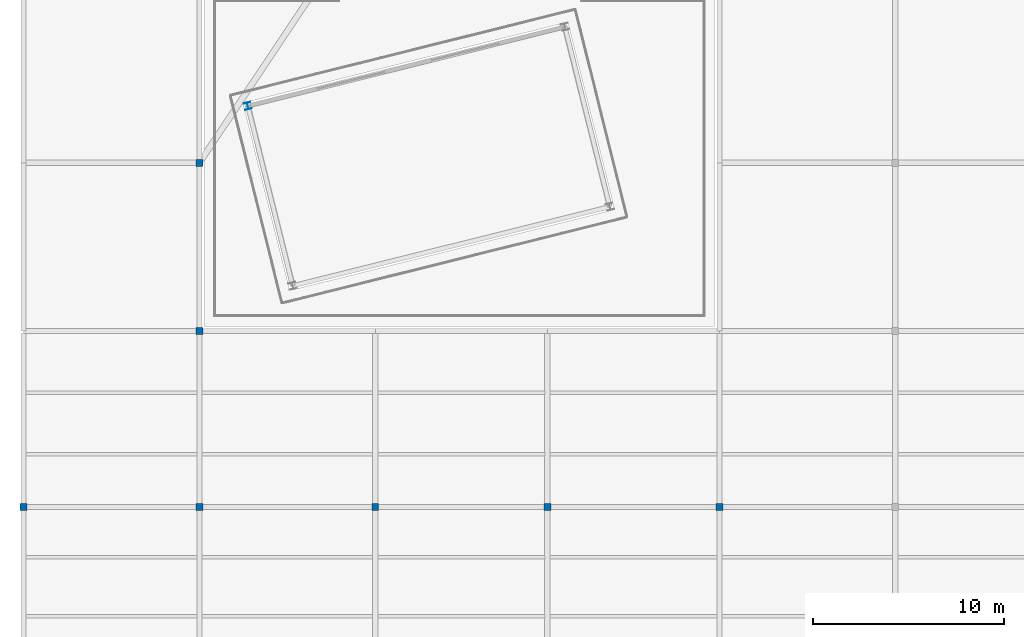
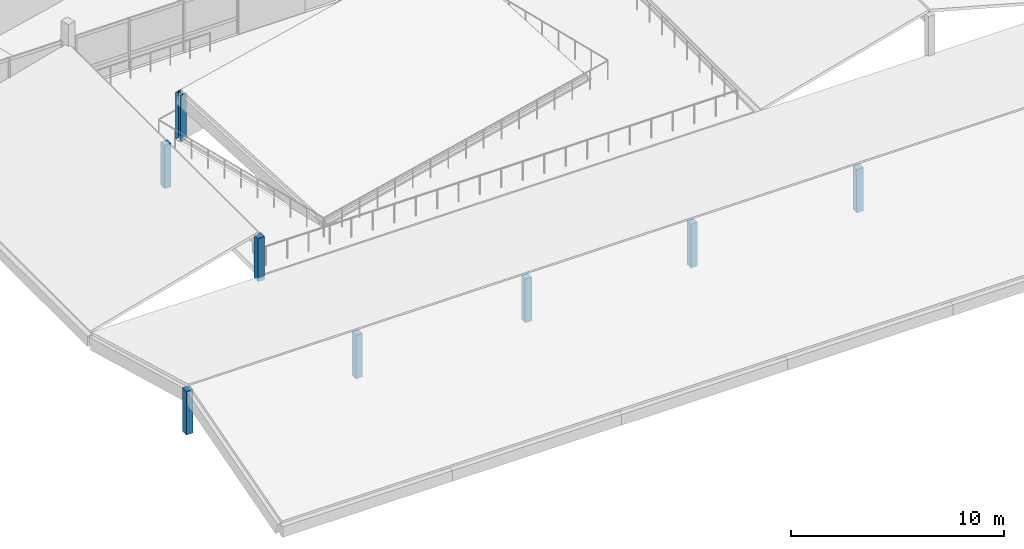
# One storey, part 1 of 39: 8 columns.
"""IFC4 building model written with IfcOpenShell, lengths in metres."""

import ifcopenshell
import ifcopenshell.guid

model = None  # the IFC model being written
_history = None  # IfcOwnerHistory: only IFC2X3 demands one
_inside = {}  # id of a spatial element -> (the spatial element, [elements in it])
_under = {}  # id of a project, library or spatial element -> (it, [spatial elements below it])
_declared = {}  # id of a project -> (the project, [libraries it declares])
_typed = {}  # id of a type object -> (the type object, [elements of that type])
_made_of = {}  # id of a material, layer set ... -> (it, [elements and type objects made of it])


def new_model(schema):
    """Start an empty IFC model of exactly this schema.

    Asked for "IFC4X3", IfcOpenShell would pick the latest addendum, in which some entities
    have other attributes; the version numbers below select the first issue.
    IFC2X3 requires an IfcOwnerHistory on every rooted entity: one is made here for all.
    """
    global model, _history
    if schema == "IFC4X3":
        model = ifcopenshell.file(schema_version=(4, 3, 0, 0))
    else:
        model = ifcopenshell.file(schema=schema)
    _inside.clear()
    _under.clear()
    _declared.clear()
    _typed.clear()
    _made_of.clear()
    _history = None
    if model.schema == "IFC2X3":
        org = make("IfcOrganization", Name="unknown")
        user = make(
            "IfcPersonAndOrganization",
            ThePerson=make("IfcPerson", FamilyName="unknown"),
            TheOrganization=org,
        )
        app = make(
            "IfcApplication",
            ApplicationDeveloper=org,
            Version="unknown",
            ApplicationFullName="unknown",
            ApplicationIdentifier="unknown",
        )
        _history = make(
            "IfcOwnerHistory",
            OwningUser=user,
            OwningApplication=app,
            ChangeAction="ADDED",
            CreationDate=0,
        )
    return model


def make(cls, **values):
    """One entity of the class cls with the attributes given. An attribute that is None is left unset."""
    return model.create_entity(
        cls, **{name: value for name, value in values.items() if value is not None}
    )


def rooted(cls, **values):
    """An entity with a GlobalId (a new one), such as an element, a storey or a relation."""
    return make(cls, GlobalId=ifcopenshell.guid.new(), OwnerHistory=_history, **values)


def si_unit(unit_type, name, prefix=None):
    """IfcSIUnit, for example si_unit("LENGTHUNIT", "METRE", prefix="MILLI")."""
    return make("IfcSIUnit", UnitType=unit_type, Prefix=prefix, Name=name)


def assignment(units):
    """IfcUnitAssignment: the units of a project."""
    return None if units is None else make("IfcUnitAssignment", Units=units)


def point(xyz):
    """IfcCartesianPoint."""
    return None if xyz is None else make("IfcCartesianPoint", Coordinates=xyz)


def direction(xyz):
    """IfcDirection."""
    return None if xyz is None else make("IfcDirection", DirectionRatios=xyz)


def frame(location, z_axis=None, x_axis=None):
    """IfcAxis2Placement3D, a coordinate frame: its origin and axes. An axis left out is left unset."""
    return make(
        "IfcAxis2Placement3D",
        Location=point(location),
        Axis=direction(z_axis),
        RefDirection=direction(x_axis),
    )


def frame_2d(location, x_axis=None):
    """IfcAxis2Placement2D, a coordinate frame in the plane: its origin and x axis."""
    return make(
        "IfcAxis2Placement2D", Location=point(location), RefDirection=direction(x_axis)
    )


def origin():
    """The frame at (0, 0, 0) with its axes left unset."""
    return frame((0.0, 0.0, 0.0))


def origin_2d():
    """The frame at (0, 0) in the plane with its x axis left unset."""
    return frame_2d((0.0, 0.0))


def place(relative_to, where):
    """IfcLocalPlacement: puts the frame where relative to a parent placement (None: the world)."""
    return make(
        "IfcLocalPlacement", PlacementRelTo=relative_to, RelativePlacement=where
    )


def context(
    kind, dimensions, precision=None, world=None, true_north=None, identifier=None
):
    """IfcGeometricRepresentationContext, for example the 3D "Model" context."""
    return make(
        "IfcGeometricRepresentationContext",
        ContextIdentifier=identifier,
        ContextType=kind,
        CoordinateSpaceDimension=dimensions,
        Precision=precision,
        WorldCoordinateSystem=world,
        TrueNorth=true_north,
    )


def subcontext(parent, identifier, kind, view, scale=None):
    """IfcGeometricRepresentationSubContext, for example "Body" below "Model"."""
    return make(
        "IfcGeometricRepresentationSubContext",
        ContextIdentifier=identifier,
        ContextType=kind,
        ParentContext=parent,
        TargetScale=scale,
        TargetView=view,
    )


def project(units=None, contexts=None):
    """IfcProject with its units and contexts."""
    return rooted(
        "IfcProject",
        Name="project",
        RepresentationContexts=contexts,
        UnitsInContext=assignment(units),
    )


def spatial(cls, under=None, at=None, **own):
    """A site, building, storey or space (cls), placed at a placement, below another one or the project."""
    s = rooted(cls, ObjectPlacement=at, **own)
    if under is not None:
        _under.setdefault(under.id(), (under, []))[1].append(s)
    return s


def profile(cls, at=None, kind="AREA", **sizes):
    """A parametric profile (cls). Its sizes go by their IFC names, for example OverallWidth=200.0."""
    return make(cls, ProfileType=kind, Position=at, **sizes)


def rectangle(**sizes):
    """IfcRectangleProfileDef."""
    return profile("IfcRectangleProfileDef", **sizes)


def i_section(**sizes):
    """IfcIShapeProfileDef."""
    return profile("IfcIShapeProfileDef", **sizes)


def extrude(swept, where, along, depth):
    """IfcExtrudedAreaSolid: the profile swept, set in the frame where, extruded along a direction by depth."""
    return make(
        "IfcExtrudedAreaSolid",
        SweptArea=swept,
        Position=where,
        ExtrudedDirection=direction(along),
        Depth=depth,
    )


def shape(context_of_items, identifier, shape_type, items):
    """IfcShapeRepresentation: the items that make up one representation, for example the "Body"."""
    return make(
        "IfcShapeRepresentation",
        ContextOfItems=context_of_items,
        RepresentationIdentifier=identifier,
        RepresentationType=shape_type,
        Items=items,
    )


def material(Name=None, Category=None):
    """IfcMaterial."""
    return make("IfcMaterial", Name=Name, Category=Category)


def material_profile(
    of_material, cross_section, Name=None, Category=None, Priority=None
):
    """IfcMaterialProfile: a cross section and its material."""
    return make(
        "IfcMaterialProfile",
        Name=Name,
        Material=of_material,
        Profile=cross_section,
        Priority=Priority,
        Category=Category,
    )


def profile_set(profiles, Name=None, composite=None):
    """IfcMaterialProfileSet."""
    return make(
        "IfcMaterialProfileSet",
        Name=Name,
        MaterialProfiles=profiles,
        CompositeProfile=composite,
    )


def made_of(thing, what):
    """Note that an element or type object is made of a material, layer set ...; save() writes the relation."""
    if what is not None:
        _made_of.setdefault(what.id(), (what, []))[1].append(thing)
    return thing


def type_object(cls, material=None, **own):
    """A type object (cls), such as IfcWallType, which elements share."""
    return made_of(rooted(cls, **own), material)


def element(
    cls,
    number,
    at=None,
    inside=None,
    cuts=None,
    type_object=None,
    material=None,
    context=None,
    identifier="Body",
    shape_type=None,
    held_by="IfcProductDefinitionShape",
    body=None,
    shapes=None,
    **own,
):
    """One element of the class cls, such as IfcWall. Its Tag is "e" and its number.

    at: its placement. inside: the storey or other place that contains it. cuts: it is an
    opening in that element (IfcRelVoidsElement). A single representation is given by context,
    identifier, shape_type and body (its items); several are given by shapes. held_by: the class
    of the entity that holds the representations. save() writes the other relations.
    """
    e = rooted(cls, Tag="e%d" % number, ObjectPlacement=at, **own)
    if body is not None:
        shapes = [shape(context, identifier, shape_type, body)]
    if shapes is not None:
        e.Representation = make(held_by, Representations=shapes)
    if inside is not None:
        _inside.setdefault(inside.id(), (inside, []))[1].append(e)
    if cuts is not None:
        rooted(
            "IfcRelVoidsElement", RelatingBuildingElement=cuts, RelatedOpeningElement=e
        )
    if type_object is not None:
        _typed.setdefault(type_object.id(), (type_object, []))[1].append(e)
    return made_of(e, material)


def aggregate(whole, parts):
    """IfcRelAggregates: a whole, such as a stair, and the parts it consists of."""
    return rooted("IfcRelAggregates", RelatingObject=whole, RelatedObjects=parts)


def save(model, path):
    """Write the relations noted so far, then the file.

    IfcRelAggregates (storeys below a building ...), IfcRelContainedInSpatialStructure (elements
    in a storey), IfcRelDefinesByType, IfcRelAssociatesMaterial and IfcRelDeclares: one each for
    every whole, place, type object, material and project.
    """
    for whole, parts in _under.values():
        aggregate(whole, parts)
    for where, things in _inside.values():
        rooted(
            "IfcRelContainedInSpatialStructure",
            RelatedElements=things,
            RelatingStructure=where,
        )
    for kind, things in _typed.values():
        rooted("IfcRelDefinesByType", RelatedObjects=things, RelatingType=kind)
    for what, things in _made_of.values():
        rooted("IfcRelAssociatesMaterial", RelatedObjects=things, RelatingMaterial=what)
    for by, libraries in _declared.values():
        rooted("IfcRelDeclares", RelatingContext=by, RelatedDefinitions=libraries)
    model.write(path)


model = new_model("IFC4")

# Units and contexts
model_context = context("Model", 3, precision=1e-05, world=origin(), true_north=direction((0.0, 1.0)))
body_context = subcontext(model_context, "Body", "Model", "MODEL_VIEW")
ifc_project = project(units=[si_unit("LENGTHUNIT", "METRE"), si_unit("AREAUNIT", "SQUARE_METRE"), si_unit("VOLUMEUNIT", "CUBIC_METRE"), si_unit("PLANEANGLEUNIT", "RADIAN"), si_unit("MASSUNIT", "GRAM", prefix="KILO")], contexts=[model_context])

# Site, building, storey
site_placement = place(None, origin())
site = spatial("IfcSite", under=ifc_project, at=site_placement, CompositionType="ELEMENT")
building_placement = place(site_placement, origin())
building = spatial("IfcBuilding", under=site, at=building_placement, Name="Meriwether Solvik Hall", CompositionType="ELEMENT")
storey_placement = place(building_placement, frame((0.0, 0.0, 22.199951171875)))
storey = spatial("IfcBuildingStorey", under=building, at=storey_placement, Name="L05", CompositionType="ELEMENT", Elevation=22.199951171875)

# Columns
ifc_material_1 = material(Name="Glulam Douglas-Fir L2 GL28c", Category="wood")
ifc_material_profile_1 = material_profile(ifc_material_1, rectangle(XDim=0.364990234375, YDim=0.364990234375, at=origin_2d()), Name="GLC-365X365")
ifc_profile_set_1 = profile_set([ifc_material_profile_1], Name="Glulam Douglas-Fir L2 GL28c")
column_type_1 = type_object("IfcColumnType", Name="COL-GL-365X365", PredefinedType="COLUMN", material=ifc_profile_set_1)
for number, where, z_axis, x_axis, name in (
    (1, (86.800048828125, 14.0, 0.0), (0.0, 0.0, 1.0), (1.0, 0.0, 0.0), "Roof Ridge Post 10/B (L05)"),
    (2, (95.800048828125, 14.0, 0.0), (0.0, 0.0, 1.0), (1.0, 0.0, 0.0), "Roof Ridge Post 11/B (L05)"),
    (3, (59.39990234375, 14.0, 0.0), (0.0, 0.0, 1.0), (1.0, 0.0, 0.0), "Roof Ridge Post 7/B (L05)"),
    (4, (68.60009765625, 14.0, 0.0), (0.0, 0.0, 1.0), (1.0, 0.0, 0.0), "Roof Ridge Post 8/B (L05)"),
):
    element("IfcColumn", number, at=place(storey_placement, frame(where, z_axis=z_axis, x_axis=x_axis)), inside=storey, type_object=column_type_1, Name=name, PredefinedType="COLUMN", context=body_context, shape_type="SweptSolid", body=[
        extrude(rectangle(XDim=0.364990234375, YDim=0.364990234375, at=origin_2d()), origin(), (0.0, 0.0, 1.0), 2.501220703125),
    ])
for number, where, z_axis, x_axis, name in (
    (5, (68.60009765625, 23.199951171875, 0.0), (0.0, 0.0, 1.0), (1.0, 0.0, 0.0), "Roof Ridge Post 8/C (L05)"),
    (6, (68.60009765625, 32.0, 0.0), (0.0, 0.0, 1.0), (1.0, 0.0, 0.0), "Roof Ridge Post 8/D (L05)"),
):
    element("IfcColumn", number, at=place(storey_placement, frame(where, z_axis=z_axis, x_axis=x_axis)), inside=storey, type_object=column_type_1, Name=name, PredefinedType="COLUMN", context=body_context, shape_type="SweptSolid", body=[
        extrude(rectangle(XDim=0.364990234375, YDim=0.364990234375, at=origin_2d()), origin(), (0.0, 0.0, 1.0), 2.481201171875),
    ])
column_1_placement = place(storey_placement, frame((77.800048828125, 14.0, 0.0), z_axis=(0.0, 0.0, 1.0), x_axis=(1.0, 0.0, 0.0)))
element("IfcColumn", 7, at=column_1_placement, inside=storey, type_object=column_type_1, Name="Roof Ridge Post 9/B (L05)", PredefinedType="COLUMN", context=body_context, shape_type="SweptSolid", body=[
    extrude(rectangle(XDim=0.364990234375, YDim=0.364990234375, at=origin_2d()), origin(), (0.0, 0.0, 1.0), 2.501220703125),
])
ifc_material_2 = material(Name="Steel A992 Grade 50", Category="steel")
ifc_material_profile_2 = material_profile(ifc_material_2, i_section(OverallWidth=0.368896484375, OverallDepth=0.35595703125, WebThickness=0.01123046875, FlangeThickness=0.01806640625, at=origin_2d()), Name="W14X90")
ifc_profile_set_2 = profile_set([ifc_material_profile_2], Name="Steel A992 Grade 50")
column_type_2 = type_object("IfcColumnType", Name="COL-STL-W14X90", PredefinedType="COLUMN", material=ifc_profile_set_2)
column_2_placement = place(storey_placement, frame((71.130615234375, 34.977294921875, 0.0), z_axis=(0.0, 0.0, 1.0), x_axis=(0.970295726276, 0.2419218956, 0.0)))
element("IfcColumn", 8, at=column_2_placement, inside=storey, type_object=column_type_2, Name="Atrium Cleft Corner Column NW (L05)", PredefinedType="COLUMN", context=body_context, shape_type="SweptSolid", body=[
    extrude(i_section(OverallWidth=0.368896484375, OverallDepth=0.35595703125, WebThickness=0.01123046875, FlangeThickness=0.01806640625, at=origin_2d()), origin(), (0.0, 0.0, 1.0), 2.679931640625),
])

save(model, "model.ifc")
